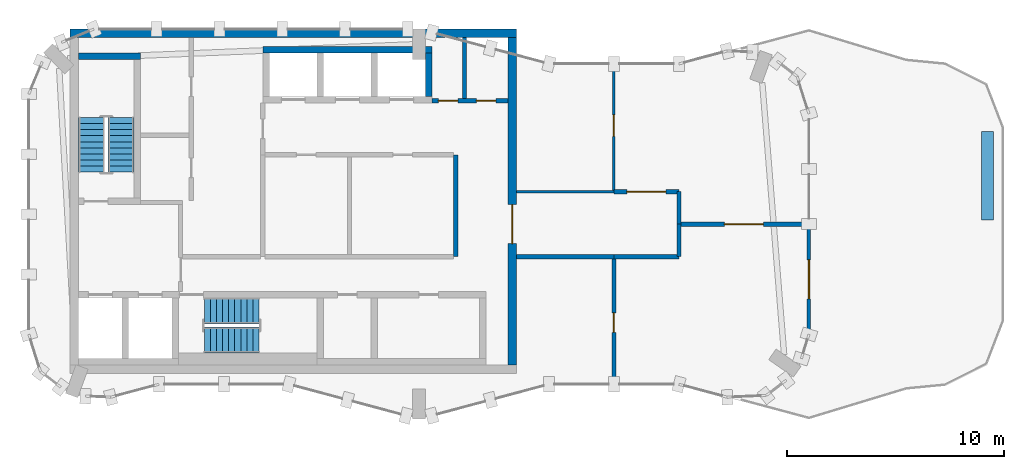
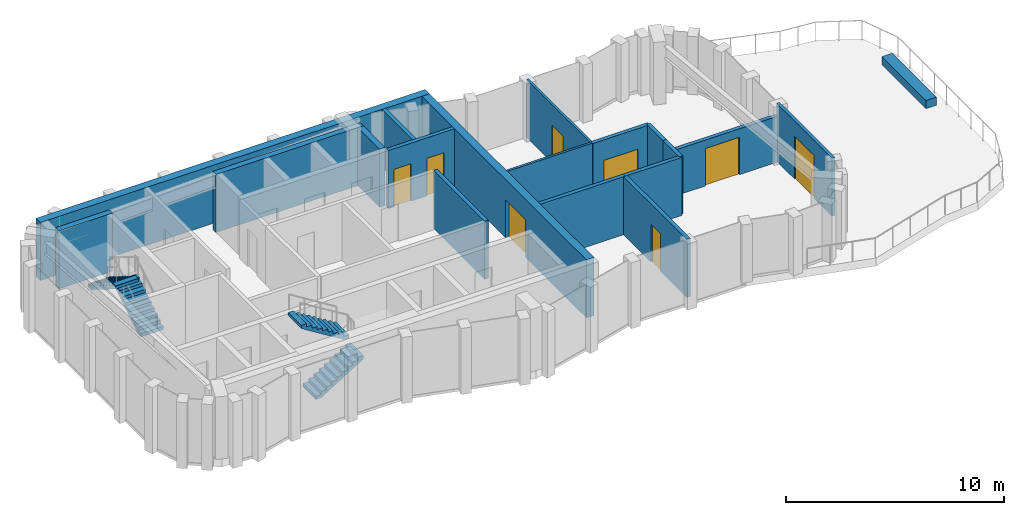
# One storey, part 4 of 5: 19 walls, 8 doors, 4 stair flights, 8 openings, 2 elements without a shape of their own.
"""IFC4 building model written with IfcOpenShell, lengths in metres."""

from ifc_helpers import new_model, si_unit, direction, frame, frame_2d, origin, place, context, subcontext, project, spatial, polyline, rectangle, outline, extrude, material, layer, layer_set, type_object, element, fill, aggregate, save


model = new_model("IFC4")

# Units and contexts
model_context = context("Model", 3, precision=1e-05, world=origin(), true_north=direction((0.0, 1.0)))
body_context = subcontext(model_context, "Body", "Model", "MODEL_VIEW")
ifc_project = project(units=[si_unit("LENGTHUNIT", "METRE"), si_unit("AREAUNIT", "SQUARE_METRE"), si_unit("VOLUMEUNIT", "CUBIC_METRE"), si_unit("PLANEANGLEUNIT", "RADIAN"), si_unit("MASSUNIT", "GRAM", prefix="KILO")], contexts=[model_context])

# Site, building, storey
site_placement = place(None, origin())
site = spatial("IfcSite", under=ifc_project, at=site_placement, CompositionType="ELEMENT")
building_placement = place(site_placement, origin())
building = spatial("IfcBuilding", under=site, at=building_placement, Name="Plateau Cross Towers", CompositionType="ELEMENT")
storey_placement = place(building_placement, frame((0.0, 0.0, 294.89990234375)))
storey = spatial("IfcBuildingStorey", under=building, at=storey_placement, Name="L78 Crown 2", CompositionType="ELEMENT", Elevation=294.89990234375)

# Wall
ifc_material_1 = material(Name="Concrete block, plastered both sides", Category="concrete")
ifc_layer_1 = layer(ifc_material_1, 0.199951171875)
ifc_layer_set_1 = layer_set([ifc_layer_1], Name="Concrete block, plastered both sides")
wall_type_1 = type_object("IfcWallType", Name="Core partition 200", PredefinedType="PARTITIONING", material=ifc_layer_set_1)
wall_1_placement = place(storey_placement, frame((19.699951171875, 7.5, 0.0), z_axis=(0.0, 0.0, 1.0), x_axis=(0.0, 1.0, 0.0)))
element("IfcWall", 1, at=wall_1_placement, inside=storey, type_object=wall_type_1, Name="Core partition", PredefinedType="PARTITIONING", context=body_context, shape_type="SweptSolid", body=[
    extrude(rectangle(XDim=4.699951171875, YDim=0.199951171875, at=frame_2d((2.35009765625, 0.0))), origin(), (0.0, 0.0, 1.0), 3.25),
])

# Wall, openings, doors
wall_2_placement = place(storey_placement, frame((18.60009765625, 14.699951171875, 0.0), z_axis=(0.0, 0.0, 1.0), x_axis=(1.0, 0.0, 0.0)))
wall_2 = element("IfcWall", 2, at=wall_2_placement, inside=storey, type_object=wall_type_1, Name="Core partition", PredefinedType="PARTITIONING", context=body_context, shape_type="SweptSolid", body=[
    extrude(rectangle(XDim=3.5, YDim=0.199951171875, at=frame_2d((1.75, 0.0))), origin(), (0.0, 0.0, 1.0), 3.25),
])
opening_1_placement = place(wall_2_placement, frame((0.300048828125, 0.0, 0.0)))
opening_1 = element("IfcOpeningElement", 3, at=opening_1_placement, cuts=wall_2, Name="Opening RD2", PredefinedType="OPENING", context=body_context, shape_type="SweptSolid", body=[
    extrude(rectangle(XDim=0.89990234375, YDim=2.10009765625, at=frame_2d((0.449951171875, 1.050048828125))), frame((0.0, 0.10986328125, 0.0), z_axis=(0.0, -1.0, 0.0), x_axis=(1.0, 0.0, 0.0)), (0.0, 0.0, 1.0), 0.219970703125),
])
opening_2_placement = place(wall_2_placement, frame((2.050048828125, 0.0, 0.0)))
opening_2 = element("IfcOpeningElement", 4, at=opening_2_placement, cuts=wall_2, Name="Opening RD2", PredefinedType="OPENING", context=body_context, shape_type="SweptSolid", body=[
    extrude(rectangle(XDim=0.89990234375, YDim=2.10009765625, at=frame_2d((0.449951171875, 1.050048828125))), frame((0.0, 0.10986328125, 0.0), z_axis=(0.0, -1.0, 0.0), x_axis=(1.0, 0.0, 0.0)), (0.0, 0.0, 1.0), 0.219970703125),
])
ifc_material_2 = material(Name="Steel, fire-resisting leaf", Category="steel")
door_type_1 = type_object("IfcDoorType", Name="Core riser door 900", OperationType="NOTDEFINED", PredefinedType="DOOR", material=ifc_material_2)
door_1_placement = place(opening_1_placement, origin())
door_1 = element("IfcDoor", 5, at=door_1_placement, inside=storey, type_object=door_type_1, Name="Core riser door RD2", OperationType="SINGLE_SWING_LEFT", OverallHeight=2.10009765625, OverallWidth=0.89990234375, PredefinedType="DOOR", context=body_context, shape_type="SweptSolid", body=[
    extrude(rectangle(XDim=0.89990234375, YDim=2.10009765625, at=frame_2d((0.449951171875, 1.050048828125))), frame((0.0, 0.02490234375, 0.0), z_axis=(0.0, -1.0, 0.0), x_axis=(1.0, 0.0, 0.0)), (0.0, 0.0, 1.0), 0.050048828125),
])
fill(opening_1, door_1)
door_2_placement = place(opening_2_placement, origin())
door_2 = element("IfcDoor", 6, at=door_2_placement, inside=storey, type_object=door_type_1, Name="Core riser door RD2", OperationType="SINGLE_SWING_LEFT", OverallHeight=2.10009765625, OverallWidth=0.89990234375, PredefinedType="DOOR", context=body_context, shape_type="SweptSolid", body=[
    extrude(rectangle(XDim=0.89990234375, YDim=2.10009765625, at=frame_2d((0.449951171875, 1.050048828125))), frame((0.0, 0.02490234375, 0.0), z_axis=(0.0, -1.0, 0.0), x_axis=(1.0, 0.0, 0.0)), (0.0, 0.0, 1.0), 0.050048828125),
])
fill(opening_2, door_2)

# Walls
wall_3_placement = place(storey_placement, frame((20.10009765625, 14.800048828125, 0.0), z_axis=(0.0, 0.0, 1.0), x_axis=(0.0, 1.0, 0.0)))
element("IfcWall", 7, at=wall_3_placement, inside=storey, type_object=wall_type_1, Name="Core partition", PredefinedType="PARTITIONING", context=body_context, shape_type="SweptSolid", body=[
    extrude(rectangle(XDim=2.800048828125, YDim=0.199951171875, at=frame_2d((1.39990234375, 0.0))), origin(), (0.0, 0.0, 1.0), 3.25),
])
ifc_material_3 = material(Name="Concrete C60/75", Category="concrete")
ifc_layer_2 = layer(ifc_material_3, 0.300048828125)
ifc_layer_set_2 = layer_set([ifc_layer_2], Name="Concrete C60/75")
wall_type_2 = type_object("IfcWallType", Name="Core shaft wall 300", PredefinedType="SHEAR", material=ifc_layer_set_2)
wall_4_placement = place(storey_placement, frame((2.300048828125, 16.75, 0.0), z_axis=(0.0, 0.0, 1.0), x_axis=(1.0, 0.0, 0.0)))
element("IfcWall", 8, at=wall_4_placement, inside=storey, type_object=wall_type_2, Name="A-st1-N@L78 Crown 2", PredefinedType="SHEAR", context=body_context, shape_type="SweptSolid", body=[
    extrude(rectangle(XDim=2.849853515625, YDim=0.300048828125, at=frame_2d((1.4248046875, 0.0))), origin(), (0.0, 0.0, 1.0), 3.25),
])
wall_5_placement = place(storey_placement, frame((10.800048828125, 17.050048828125, 0.0), z_axis=(0.0, 0.0, 1.0), x_axis=(1.0, 0.0, 0.0)))
element("IfcWall", 9, at=wall_5_placement, inside=storey, type_object=wall_type_2, Name="A-nb-back@L78 Crown 2", PredefinedType="SHEAR", context=body_context, shape_type="SweptSolid", body=[
    extrude(rectangle(XDim=7.800048828125, YDim=0.300048828125, at=frame_2d((3.89990234375, 0.0))), origin(), (0.0, 0.0, 1.0), 3.25),
])
wall_6_placement = place(storey_placement, frame((18.449951171875, 14.89990234375, 0.0), z_axis=(0.0, 0.0, 1.0), x_axis=(0.0, 1.0, 0.0)))
element("IfcWall", 10, at=wall_6_placement, inside=storey, type_object=wall_type_2, Name="A-nb-v4@L78 Crown 2", PredefinedType="SHEAR", context=body_context, shape_type="SweptSolid", body=[
    extrude(rectangle(XDim=2.0, YDim=0.300048828125, at=frame_2d((1.0, 0.0))), origin(), (0.0, 0.0, 1.0), 3.25),
])
ifc_layer_3 = layer(ifc_material_3, 0.39990234375)
ifc_layer_set_3 = layer_set([ifc_layer_3], Name="Concrete C60/75")
wall_type_3 = type_object("IfcWallType", Name="Core shell wall 400", PredefinedType="SHEAR", material=ifc_layer_set_3)
wall_7_placement = place(storey_placement, frame((1.89990234375, 17.800048828125, 0.0), z_axis=(0.0, 0.0, 1.0), x_axis=(1.0, 0.0, 0.0)))
element("IfcWall", 11, at=wall_7_placement, inside=storey, type_object=wall_type_3, Name="A-core-N@L78 Crown 2", PredefinedType="SHEAR", context=body_context, shape_type="SweptSolid", body=[
    extrude(rectangle(XDim=20.60009765625, YDim=0.39990234375, at=frame_2d((10.300048828125, 0.0))), origin(), (0.0, 0.0, 1.0), 3.25),
])

# Wall, opening, door
wall_8_placement = place(storey_placement, frame((22.300048828125, 2.5, 0.0), z_axis=(0.0, 0.0, 1.0), x_axis=(0.0, 1.0, 0.0)))
wall_8 = element("IfcWall", 12, at=wall_8_placement, inside=storey, type_object=wall_type_3, Name="A-core-E@L78 Crown 2", PredefinedType="SHEAR", context=body_context, shape_type="SweptSolid", body=[
    extrude(rectangle(XDim=15.10009765625, YDim=0.39990234375, at=frame_2d((7.550048828125, 0.0))), origin(), (0.0, 0.0, 1.0), 3.25),
])
opening_3_placement = place(wall_8_placement, frame((5.60009765625, 0.0, 0.0)))
opening_3 = element("IfcOpeningElement", 13, at=opening_3_placement, cuts=wall_8, Name="Opening CD", PredefinedType="OPENING", context=body_context, shape_type="SweptSolid", body=[
    extrude(rectangle(XDim=1.800048828125, YDim=2.10009765625, at=frame_2d((0.89990234375, 1.050048828125))), frame((0.0, 0.2099609375, 0.0), z_axis=(0.0, -1.0, 0.0), x_axis=(1.0, 0.0, 0.0)), (0.0, 0.0, 1.0), 0.419921875),
])
ifc_material_4 = material(Name="Steel, fire-resisting leaves", Category="steel")
door_type_2 = type_object("IfcDoorType", Name="Corridor door pair 1800", OperationType="NOTDEFINED", PredefinedType="DOOR", material=ifc_material_4)
door_3_placement = place(opening_3_placement, origin())
door_3 = element("IfcDoor", 14, at=door_3_placement, inside=storey, type_object=door_type_2, Name="Corridor door pair CD", OperationType="DOUBLE_DOOR_SINGLE_SWING", OverallHeight=2.10009765625, OverallWidth=1.800048828125, PredefinedType="DOOR", context=body_context, shape_type="SweptSolid", body=[
    extrude(rectangle(XDim=1.800048828125, YDim=2.10009765625, at=frame_2d((0.89990234375, 1.050048828125))), frame((0.0, 0.02490234375, 0.0), z_axis=(0.0, -1.0, 0.0), x_axis=(1.0, 0.0, 0.0)), (0.0, 0.0, 1.0), 0.050048828125),
])
fill(opening_3, door_3)

ifc_material_5 = material(Name="Aluminium framed glazing", Category="aluminium")
ifc_layer_4 = layer(ifc_material_5, 0.159912109375)
ifc_layer_set_4 = layer_set([ifc_layer_4], Name="Aluminium framed glazing")
wall_type_4 = type_object("IfcWallType", Name="Entrance screen wall 160", PredefinedType="STANDARD", material=ifc_layer_set_4)
wall_9_placement = place(storey_placement, frame((36.0, 9.0, 0.0), z_axis=(0.0, 0.0, 1.0), x_axis=(0.0, -1.0, 0.0)))
wall_9 = element("IfcWall", 15, at=wall_9_placement, inside=storey, type_object=wall_type_4, Name="Deck A1 screen wall", PredefinedType="STANDARD", context=body_context, shape_type="SweptSolid", body=[
    extrude(rectangle(XDim=5.0908203125, YDim=0.159912109375, at=frame_2d((2.54541015625, 0.0))), origin(), (0.0, 0.0, 1.0), 3.25),
])
opening_4_placement = place(wall_9_placement, frame((1.6455078125, 0.0, 0.0)))
opening_4 = element("IfcOpeningElement", 16, at=opening_4_placement, cuts=wall_9, Name="Opening XD1", PredefinedType="OPENING", context=body_context, shape_type="SweptSolid", body=[
    extrude(rectangle(XDim=1.800048828125, YDim=2.39990234375, at=frame_2d((0.89990234375, 1.199951171875))), frame((0.0, 0.08984375, 0.0), z_axis=(0.0, -1.0, 0.0), x_axis=(1.0, 0.0, 0.0)), (0.0, 0.0, 1.0), 0.179931640625),
])
door_type_3 = type_object("IfcDoorType", Name="Terrace door double leaf 1800x2400", OperationType="DOUBLE_DOOR_SINGLE_SWING", PredefinedType="DOOR", material=ifc_material_5)
door_4_placement = place(opening_4_placement, origin())
door_4 = element("IfcDoor", 17, at=door_4_placement, inside=storey, type_object=door_type_3, Name="Deck A1 door", OperationType="SINGLE_SWING_LEFT", OverallHeight=2.39990234375, OverallWidth=1.800048828125, PredefinedType="DOOR", context=body_context, shape_type="SweptSolid", body=[
    extrude(rectangle(XDim=1.800048828125, YDim=2.39990234375, at=frame_2d((0.89990234375, 1.199951171875))), frame((0.0, 0.02490234375, 0.0), z_axis=(0.0, -1.0, 0.0), x_axis=(1.0, 0.0, 0.0)), (0.0, 0.0, 1.0), 0.050048828125),
])
fill(opening_4, door_4)

# Wall
ifc_material_6 = material(Name="Concrete C30/37", Category="concrete")
ifc_layer_5 = layer(ifc_material_6, 0.550048828125)
ifc_layer_set_5 = layer_set([ifc_layer_5], Name="Concrete C30/37")
wall_type_5 = type_object("IfcWallType", Name="Planter upstand 550", PredefinedType="STANDARD", material=ifc_layer_set_5)
wall_10_placement = place(storey_placement, frame((44.235107421875, 13.263916015625, 0.0), z_axis=(0.0, 0.0, 1.0), x_axis=(0.0, -1.0, 0.0)))
element("IfcWall", 18, at=wall_10_placement, inside=storey, type_object=wall_type_5, Name="Planter 1", PredefinedType="STANDARD", context=body_context, shape_type="SweptSolid", body=[
    extrude(rectangle(XDim=4.06396484375, YDim=0.550048828125, at=frame_2d((2.031982421875, 0.0))), origin(), (0.0, 0.0, 1.0), 0.4501953125),
])

# Wall, opening, door
ifc_material_7 = material(Name="Gypsum board on steel studs, two layers each side", Category="steel")
ifc_layer_6 = layer(ifc_material_7, 0.199951171875)
ifc_layer_set_6 = layer_set([ifc_layer_6], Name="Gypsum board on steel studs, two layers each side")
wall_type_6 = type_object("IfcWallType", Name="Podium compartment wall 200", PredefinedType="PARTITIONING", material=ifc_layer_set_6)
wall_11_placement = place(storey_placement, frame((27.0, 7.5, 0.0), z_axis=(0.0, 0.0, 1.0), x_axis=(0.0, -1.0, 0.0)))
wall_11 = element("IfcWall", 19, at=wall_11_placement, inside=storey, type_object=wall_type_6, Name="Partition wall", PredefinedType="PARTITIONING", context=body_context, shape_type="SweptSolid", body=[
    extrude(rectangle(XDim=5.89306640625, YDim=0.199951171875, at=frame_2d((2.946533203125, 0.0))), origin(), (0.0, 0.0, 1.0), 3.25),
])
opening_5_placement = place(wall_11_placement, frame((2.60009765625, 0.0, 0.0)))
opening_5 = element("IfcOpeningElement", 20, at=opening_5_placement, cuts=wall_11, Name="Opening 782-01", PredefinedType="OPENING", context=body_context, shape_type="SweptSolid", body=[
    extrude(rectangle(XDim=0.89990234375, YDim=2.10009765625, at=frame_2d((0.449951171875, 1.050048828125))), frame((0.0, 0.10986328125, 0.0), z_axis=(0.0, -1.0, 0.0), x_axis=(1.0, 0.0, 0.0)), (0.0, 0.0, 1.0), 0.219970703125),
])
ifc_material_8 = material(Name="Timber, fire-resisting leaf", Category="wood")
door_type_4 = type_object("IfcDoorType", Name="Podium service door 900", OperationType="NOTDEFINED", PredefinedType="DOOR", material=ifc_material_8)
door_5_placement = place(opening_5_placement, origin())
door_5 = element("IfcDoor", 21, at=door_5_placement, inside=storey, type_object=door_type_4, Name="Door 782-01", OperationType="SINGLE_SWING_LEFT", OverallHeight=2.10009765625, OverallWidth=0.89990234375, PredefinedType="DOOR", context=body_context, shape_type="SweptSolid", body=[
    extrude(rectangle(XDim=0.89990234375, YDim=2.10009765625, at=frame_2d((0.449951171875, 1.050048828125))), frame((0.0, 0.02490234375, 0.0), z_axis=(0.0, -1.0, 0.0), x_axis=(1.0, 0.0, 0.0)), (0.0, 0.0, 1.0), 0.050048828125),
])
fill(opening_5, door_5)

ifc_material_9 = material(Name="Gypsum board on steel studs", Category="steel")
ifc_layer_7 = layer(ifc_material_9, 0.199951171875)
ifc_layer_set_7 = layer_set([ifc_layer_7], Name="Gypsum board on steel studs")
wall_type_7 = type_object("IfcWallType", Name="Podium partition 200", PredefinedType="PARTITIONING", material=ifc_layer_set_7)
wall_12_placement = place(storey_placement, frame((30.0, 9.0, 0.0), z_axis=(0.0, 0.0, 1.0), x_axis=(1.0, 0.0, 0.0)))
wall_12 = element("IfcWall", 22, at=wall_12_placement, inside=storey, type_object=wall_type_7, Name="Partition wall", PredefinedType="PARTITIONING", context=body_context, shape_type="SweptSolid", body=[
    extrude(rectangle(XDim=6.0, YDim=0.199951171875, at=frame_2d((3.0, 0.0))), origin(), (0.0, 0.0, 1.0), 2.572021484375),
])
opening_6_placement = place(wall_12_placement, frame((2.10009765625, 0.0, 0.0)))
opening_6 = element("IfcOpeningElement", 23, at=opening_6_placement, cuts=wall_12, Name="Opening 782-03", PredefinedType="OPENING", context=body_context, shape_type="SweptSolid", body=[
    extrude(rectangle(XDim=1.800048828125, YDim=2.10009765625, at=frame_2d((0.89990234375, 1.050048828125))), frame((0.0, 0.10986328125, 0.0), z_axis=(0.0, -1.0, 0.0), x_axis=(1.0, 0.0, 0.0)), (0.0, 0.0, 1.0), 0.219970703125),
])
ifc_material_10 = material(Name="Aluminium frame, toughened glass", Category="aluminium")
door_type_5 = type_object("IfcDoorType", Name="Podium door pair 1800", OperationType="NOTDEFINED", PredefinedType="DOOR", material=ifc_material_10)
door_6_placement = place(opening_6_placement, origin())
door_6 = element("IfcDoor", 24, at=door_6_placement, inside=storey, type_object=door_type_5, Name="Door 782-03", OperationType="DOUBLE_DOOR_SINGLE_SWING", OverallHeight=2.10009765625, OverallWidth=1.800048828125, PredefinedType="DOOR", context=body_context, shape_type="SweptSolid", body=[
    extrude(rectangle(XDim=1.800048828125, YDim=2.10009765625, at=frame_2d((0.89990234375, 1.050048828125))), frame((0.0, 0.02490234375, 0.0), z_axis=(0.0, -1.0, 0.0), x_axis=(1.0, 0.0, 0.0)), (0.0, 0.0, 1.0), 0.050048828125),
])
fill(opening_6, door_6)

# Walls
wall_13_placement = place(storey_placement, frame((30.0, 9.0, 0.0), z_axis=(0.0, 0.0, 1.0), x_axis=(0.0, -1.0, 0.0)))
element("IfcWall", 25, at=wall_13_placement, inside=storey, type_object=wall_type_7, Name="Partition wall", PredefinedType="PARTITIONING", context=body_context, shape_type="SweptSolid", body=[
    extrude(rectangle(XDim=1.5, YDim=0.199951171875, at=frame_2d((0.75, 0.0))), origin(), (0.0, 0.0, 1.0), 3.25),
])
wall_14_placement = place(storey_placement, frame((30.0, 7.5, 0.0), z_axis=(0.0, 0.0, 1.0), x_axis=(-1.0, 0.0, 0.0)))
element("IfcWall", 26, at=wall_14_placement, inside=storey, type_object=wall_type_7, Name="Partition wall", PredefinedType="PARTITIONING", context=body_context, shape_type="SweptSolid", body=[
    extrude(rectangle(XDim=3.0, YDim=0.199951171875, at=frame_2d((1.5, 0.0))), origin(), (0.0, 0.0, 1.0), 3.25),
])
wall_15_placement = place(storey_placement, frame((27.0, 7.5, 0.0), z_axis=(0.0, 0.0, 1.0), x_axis=(-1.0, 0.0, 0.0)))
element("IfcWall", 27, at=wall_15_placement, inside=storey, type_object=wall_type_7, Name="Partition wall", PredefinedType="PARTITIONING", context=body_context, shape_type="SweptSolid", body=[
    extrude(rectangle(XDim=4.5, YDim=0.199951171875, at=frame_2d((2.25, 0.0))), origin(), (0.0, 0.0, 1.0), 3.25),
])

# Wall, opening, door
wall_16_placement = place(storey_placement, frame((27.0, 10.5, 0.0), z_axis=(0.0, 0.0, 1.0), x_axis=(1.0, 0.0, 0.0)))
wall_16 = element("IfcWall", 28, at=wall_16_placement, inside=storey, type_object=wall_type_7, Name="Partition wall", PredefinedType="PARTITIONING", context=body_context, shape_type="SweptSolid", body=[
    extrude(rectangle(XDim=3.0, YDim=0.199951171875, at=frame_2d((1.5, 0.0))), origin(), (0.0, 0.0, 1.0), 3.25),
])
opening_7_placement = place(wall_16_placement, frame((0.60009765625, 0.0, 0.0)))
opening_7 = element("IfcOpeningElement", 29, at=opening_7_placement, cuts=wall_16, Name="Opening 782-04", PredefinedType="OPENING", context=body_context, shape_type="SweptSolid", body=[
    extrude(rectangle(XDim=1.800048828125, YDim=2.10009765625, at=frame_2d((0.89990234375, 1.050048828125))), frame((0.0, 0.10986328125, 0.0), z_axis=(0.0, -1.0, 0.0), x_axis=(1.0, 0.0, 0.0)), (0.0, 0.0, 1.0), 0.219970703125),
])
door_7_placement = place(opening_7_placement, origin())
door_7 = element("IfcDoor", 30, at=door_7_placement, inside=storey, type_object=door_type_5, Name="Door 782-04", OperationType="DOUBLE_DOOR_SINGLE_SWING", OverallHeight=2.10009765625, OverallWidth=1.800048828125, PredefinedType="DOOR", context=body_context, shape_type="SweptSolid", body=[
    extrude(rectangle(XDim=1.800048828125, YDim=2.10009765625, at=frame_2d((0.89990234375, 1.050048828125))), frame((0.0, 0.02490234375, 0.0), z_axis=(0.0, -1.0, 0.0), x_axis=(1.0, 0.0, 0.0)), (0.0, 0.0, 1.0), 0.050048828125),
])
fill(opening_7, door_7)

# Wall
wall_17_placement = place(storey_placement, frame((30.0, 10.5, 0.0), z_axis=(0.0, 0.0, 1.0), x_axis=(0.0, -1.0, 0.0)))
element("IfcWall", 31, at=wall_17_placement, inside=storey, type_object=wall_type_7, Name="Partition wall", PredefinedType="PARTITIONING", context=body_context, shape_type="SweptSolid", body=[
    extrude(rectangle(XDim=1.5, YDim=0.199951171875, at=frame_2d((0.75, 0.0))), origin(), (0.0, 0.0, 1.0), 3.25),
])

# Wall, opening, door
ifc_material_11 = material(Name="Moisture-resistant board on steel studs, tiled one side", Category="steel")
ifc_layer_8 = layer(ifc_material_11, 0.1201171875)
ifc_layer_set_8 = layer_set([ifc_layer_8], Name="Moisture-resistant board on steel studs, tiled one side")
wall_type_8 = type_object("IfcWallType", Name="Sanitary partition 120", PredefinedType="PARTITIONING", material=ifc_layer_set_8)
wall_18_placement = place(storey_placement, frame((27.0, 16.39306640625, 0.0), z_axis=(0.0, 0.0, 1.0), x_axis=(0.0, -1.0, 0.0)))
wall_18 = element("IfcWall", 32, at=wall_18_placement, inside=storey, type_object=wall_type_8, Name="Partition wall", PredefinedType="PARTITIONING", context=body_context, shape_type="SweptSolid", body=[
    extrude(rectangle(XDim=5.89306640625, YDim=0.1201171875, at=frame_2d((2.946533203125, 0.0))), origin(), (0.0, 0.0, 1.0), 3.25),
])
opening_8_placement = place(wall_18_placement, frame((2.35009765625, 0.0, 0.0)))
opening_8 = element("IfcOpeningElement", 33, at=opening_8_placement, cuts=wall_18, Name="Opening 782-02", PredefinedType="OPENING", context=body_context, shape_type="SweptSolid", body=[
    extrude(rectangle(XDim=1.0, YDim=2.10009765625, at=frame_2d((0.5, 1.050048828125))), frame((0.0, 0.070068359375, 0.0), z_axis=(0.0, -1.0, 0.0), x_axis=(1.0, 0.0, 0.0)), (0.0, 0.0, 1.0), 0.14013671875),
])
ifc_material_12 = material(Name="Timber leaf", Category="wood")
door_type_6 = type_object("IfcDoorType", Name="Podium clinic door 1000", OperationType="NOTDEFINED", PredefinedType="DOOR", material=ifc_material_12)
door_8_placement = place(opening_8_placement, origin())
door_8 = element("IfcDoor", 34, at=door_8_placement, inside=storey, type_object=door_type_6, Name="Door 782-02", OperationType="SINGLE_SWING_LEFT", OverallHeight=2.10009765625, OverallWidth=1.0, PredefinedType="DOOR", context=body_context, shape_type="SweptSolid", body=[
    extrude(rectangle(XDim=1.0, YDim=2.10009765625, at=frame_2d((0.5, 1.050048828125))), frame((0.0, 0.02490234375, 0.0), z_axis=(0.0, -1.0, 0.0), x_axis=(1.0, 0.0, 0.0)), (0.0, 0.0, 1.0), 0.050048828125),
])
fill(opening_8, door_8)

# Wall
wall_19_placement = place(storey_placement, frame((22.5, 10.5, 0.0), z_axis=(0.0, 0.0, 1.0), x_axis=(1.0, 0.0, 0.0)))
element("IfcWall", 35, at=wall_19_placement, inside=storey, type_object=wall_type_8, Name="Partition wall", PredefinedType="PARTITIONING", context=body_context, shape_type="SweptSolid", body=[
    extrude(rectangle(XDim=4.5, YDim=0.1201171875, at=frame_2d((2.25, 0.0))), origin(), (0.0, 0.0, 1.0), 3.25),
])

# Stair, stair flights
ifc_material_13 = material(Name="Concrete C40/50", Category="concrete")
stair_type = type_object("IfcStairType", Name="ST-TWR", PredefinedType="HALF_TURN_STAIR", material=ifc_material_13)
stair_1_placement = place(storey_placement, origin())
stair_1 = element("IfcStair", 36, at=stair_1_placement, inside=storey, type_object=stair_type, Name="L78 Crown 2 Protected Exit Stair ST-1", PredefinedType="HALF_TURN_STAIR")
stair_flight_type = type_object("IfcStairFlightType", Name="SFL-RC", PredefinedType="STRAIGHT", material=ifc_material_13)
stair_flight_1_placement = place(storey_placement, frame((4.25, 11.39990234375, 0.0), z_axis=(0.0, 0.0, 1.0), x_axis=(0.0, 1.0, 0.0)))
stair_flight_1 = element("IfcStairFlight", 37, at=stair_flight_1_placement, type_object=stair_flight_type, Name="ST-1 flight 1", NumberOfRisers=10, NumberOfTreads=9, PredefinedType="STRAIGHT", RiserHeight=0.175, TreadLength=0.28, context=body_context, shape_type="SweptSolid", body=[
    extrude(outline(polyline([(-0.0048828125, -0.010009765625), (-0.0048828125, 0.0), (0.0, 0.0), (0.0, 0.175048828125), (0.280029296875, 0.175048828125), (0.280029296875, 0.35009765625), (0.56005859375, 0.35009765625), (0.56005859375, 0.52490234375), (0.840087890625, 0.52490234375), (0.840087890625, 0.699951171875), (1.1201171875, 0.699951171875), (1.1201171875, 0.875), (1.39990234375, 0.875), (1.39990234375, 1.050048828125), (1.679931640625, 1.050048828125), (1.679931640625, 1.22509765625), (1.9599609375, 1.22509765625), (1.9599609375, 1.39990234375), (2.239990234375, 1.39990234375), (2.239990234375, 1.574951171875), (2.52001953125, 1.574951171875), (2.52490234375, 1.56494140625), (2.52490234375, 1.398193359375), (2.52001953125, 1.398193359375), (0.28271484375, 0.0), (0.02001953125, 0.0), (0.02001953125, -0.010009765625), (-0.0048828125, -0.010009765625)])), frame((0.0, 0.60009765625, 0.0), z_axis=(0.0, -1.0, 0.0), x_axis=(1.0, 0.0, 0.0)), (0.0, 0.0, 1.0), 1.199951171875),
])
stair_flight_2_placement = place(storey_placement, frame((2.89990234375, 13.919921875, 1.75), z_axis=(0.0, 0.0, 1.0), x_axis=(0.0, -1.0, 0.0)))
stair_flight_2 = element("IfcStairFlight", 38, at=stair_flight_2_placement, type_object=stair_flight_type, Name="ST-1 flight 2", NumberOfRisers=10, NumberOfTreads=9, PredefinedType="STRAIGHT", RiserHeight=0.175, TreadLength=0.28, context=body_context, shape_type="SweptSolid", body=[
    extrude(outline(polyline([(-0.0048828125, -0.010009765625), (-0.0048828125, 0.0), (0.0, 0.0), (0.0, 0.175048828125), (0.280029296875, 0.175048828125), (0.280029296875, 0.35009765625), (0.56005859375, 0.35009765625), (0.56005859375, 0.52490234375), (0.840087890625, 0.52490234375), (0.840087890625, 0.699951171875), (1.1201171875, 0.699951171875), (1.1201171875, 0.875), (1.39990234375, 0.875), (1.39990234375, 1.050048828125), (1.679931640625, 1.050048828125), (1.679931640625, 1.22509765625), (1.9599609375, 1.22509765625), (1.9599609375, 1.39990234375), (2.239990234375, 1.39990234375), (2.239990234375, 1.574951171875), (2.52001953125, 1.574951171875), (2.52490234375, 1.56494140625), (2.52490234375, 1.398193359375), (2.52001953125, 1.398193359375), (0.28271484375, 0.0), (0.02001953125, 0.0), (0.02001953125, -0.010009765625), (-0.0048828125, -0.010009765625)])), frame((0.0, 0.60009765625, 0.0), z_axis=(0.0, -1.0, 0.0), x_axis=(1.0, 0.0, 0.0)), (0.0, 0.0, 1.0), 1.199951171875),
])
aggregate(stair_1, [stair_flight_1, stair_flight_2])

stair_2_placement = place(storey_placement, origin())
stair_2 = element("IfcStair", 39, at=stair_2_placement, inside=storey, type_object=stair_type, Name="L78 Crown 2 Protected Exit Stair ST-2", PredefinedType="HALF_TURN_STAIR")
stair_flight_3_placement = place(storey_placement, frame((8.10009765625, 3.64990234375, 0.0), z_axis=(0.0, 0.0, 1.0), x_axis=(1.0, 0.0, 0.0)))
stair_flight_3 = element("IfcStairFlight", 40, at=stair_flight_3_placement, type_object=stair_flight_type, Name="ST-2 flight 1", NumberOfRisers=10, NumberOfTreads=9, PredefinedType="STRAIGHT", RiserHeight=0.175, TreadLength=0.28, context=body_context, shape_type="SweptSolid", body=[
    extrude(outline(polyline([(-0.0048828125, -0.010009765625), (-0.0048828125, 0.0), (0.0, 0.0), (0.0, 0.175048828125), (0.280029296875, 0.175048828125), (0.280029296875, 0.35009765625), (0.56005859375, 0.35009765625), (0.56005859375, 0.52490234375), (0.840087890625, 0.52490234375), (0.840087890625, 0.699951171875), (1.1201171875, 0.699951171875), (1.1201171875, 0.875), (1.39990234375, 0.875), (1.39990234375, 1.050048828125), (1.679931640625, 1.050048828125), (1.679931640625, 1.22509765625), (1.9599609375, 1.22509765625), (1.9599609375, 1.39990234375), (2.239990234375, 1.39990234375), (2.239990234375, 1.574951171875), (2.52001953125, 1.574951171875), (2.52490234375, 1.56494140625), (2.52490234375, 1.398193359375), (2.52001953125, 1.398193359375), (0.28271484375, 0.0), (0.02001953125, 0.0), (0.02001953125, -0.010009765625), (-0.0048828125, -0.010009765625)])), frame((0.0, 0.60009765625, 0.0), z_axis=(0.0, -1.0, 0.0), x_axis=(1.0, 0.0, 0.0)), (0.0, 0.0, 1.0), 1.199951171875),
])
stair_flight_4_placement = place(storey_placement, frame((10.6201171875, 5.0, 1.75), z_axis=(0.0, 0.0, 1.0), x_axis=(-1.0, 0.0, 0.0)))
stair_flight_4 = element("IfcStairFlight", 41, at=stair_flight_4_placement, type_object=stair_flight_type, Name="ST-2 flight 2", NumberOfRisers=10, NumberOfTreads=9, PredefinedType="STRAIGHT", RiserHeight=0.175, TreadLength=0.28, context=body_context, shape_type="SweptSolid", body=[
    extrude(outline(polyline([(-0.0048828125, -0.010009765625), (-0.0048828125, 0.0), (0.0, 0.0), (0.0, 0.175048828125), (0.280029296875, 0.175048828125), (0.280029296875, 0.35009765625), (0.56005859375, 0.35009765625), (0.56005859375, 0.52490234375), (0.840087890625, 0.52490234375), (0.840087890625, 0.699951171875), (1.1201171875, 0.699951171875), (1.1201171875, 0.875), (1.39990234375, 0.875), (1.39990234375, 1.050048828125), (1.679931640625, 1.050048828125), (1.679931640625, 1.22509765625), (1.9599609375, 1.22509765625), (1.9599609375, 1.39990234375), (2.239990234375, 1.39990234375), (2.239990234375, 1.574951171875), (2.52001953125, 1.574951171875), (2.52490234375, 1.56494140625), (2.52490234375, 1.398193359375), (2.52001953125, 1.398193359375), (0.28271484375, 0.0), (0.02001953125, 0.0), (0.02001953125, -0.010009765625), (-0.0048828125, -0.010009765625)])), frame((0.0, 0.60009765625, 0.0), z_axis=(0.0, -1.0, 0.0), x_axis=(1.0, 0.0, 0.0)), (0.0, 0.0, 1.0), 1.199951171875),
])
aggregate(stair_2, [stair_flight_3, stair_flight_4])

save(model, "model.ifc")
